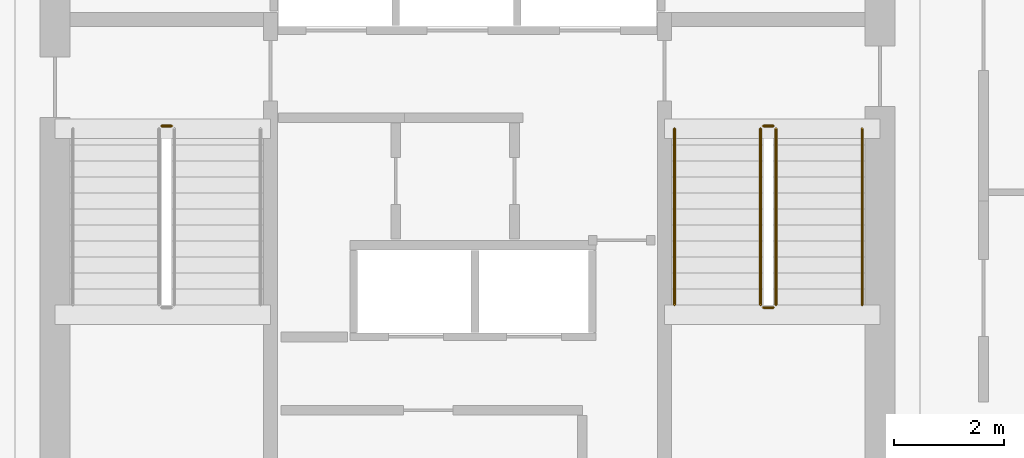
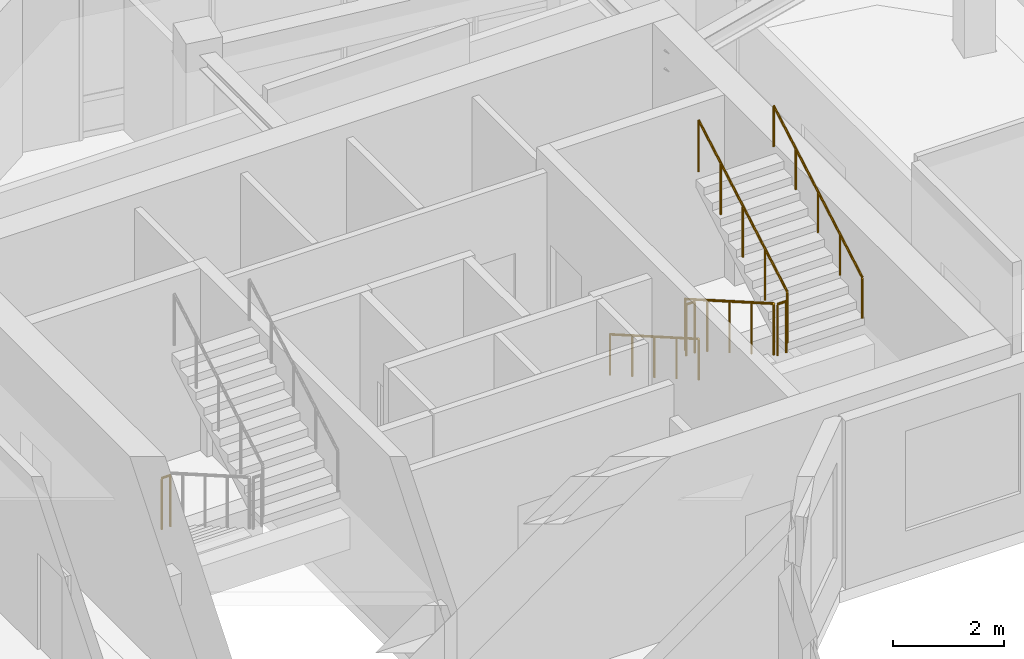
# One storey, part 8 of 8: 7 railings.
"""IFC4 building model written with IfcOpenShell, lengths in metres."""

import ifcopenshell
import ifcopenshell.guid

model = None  # the IFC model being written
_history = None  # IfcOwnerHistory: only IFC2X3 demands one
_inside = {}  # id of a spatial element -> (the spatial element, [elements in it])
_under = {}  # id of a project, library or spatial element -> (it, [spatial elements below it])
_declared = {}  # id of a project -> (the project, [libraries it declares])
_typed = {}  # id of a type object -> (the type object, [elements of that type])
_made_of = {}  # id of a material, layer set ... -> (it, [elements and type objects made of it])


def new_model(schema):
    """Start an empty IFC model of exactly this schema.

    Asked for "IFC4X3", IfcOpenShell would pick the latest addendum, in which some entities
    have other attributes; the version numbers below select the first issue.
    IFC2X3 requires an IfcOwnerHistory on every rooted entity: one is made here for all.
    """
    global model, _history
    if schema == "IFC4X3":
        model = ifcopenshell.file(schema_version=(4, 3, 0, 0))
    else:
        model = ifcopenshell.file(schema=schema)
    _inside.clear()
    _under.clear()
    _declared.clear()
    _typed.clear()
    _made_of.clear()
    _history = None
    if model.schema == "IFC2X3":
        org = make("IfcOrganization", Name="unknown")
        user = make(
            "IfcPersonAndOrganization",
            ThePerson=make("IfcPerson", FamilyName="unknown"),
            TheOrganization=org,
        )
        app = make(
            "IfcApplication",
            ApplicationDeveloper=org,
            Version="unknown",
            ApplicationFullName="unknown",
            ApplicationIdentifier="unknown",
        )
        _history = make(
            "IfcOwnerHistory",
            OwningUser=user,
            OwningApplication=app,
            ChangeAction="ADDED",
            CreationDate=0,
        )
    return model


def make(cls, **values):
    """One entity of the class cls with the attributes given. An attribute that is None is left unset."""
    return model.create_entity(
        cls, **{name: value for name, value in values.items() if value is not None}
    )


def rooted(cls, **values):
    """An entity with a GlobalId (a new one), such as an element, a storey or a relation."""
    return make(cls, GlobalId=ifcopenshell.guid.new(), OwnerHistory=_history, **values)


def si_unit(unit_type, name, prefix=None):
    """IfcSIUnit, for example si_unit("LENGTHUNIT", "METRE", prefix="MILLI")."""
    return make("IfcSIUnit", UnitType=unit_type, Prefix=prefix, Name=name)


def assignment(units):
    """IfcUnitAssignment: the units of a project."""
    return None if units is None else make("IfcUnitAssignment", Units=units)


def point(xyz):
    """IfcCartesianPoint."""
    return None if xyz is None else make("IfcCartesianPoint", Coordinates=xyz)


def direction(xyz):
    """IfcDirection."""
    return None if xyz is None else make("IfcDirection", DirectionRatios=xyz)


def frame(location, z_axis=None, x_axis=None):
    """IfcAxis2Placement3D, a coordinate frame: its origin and axes. An axis left out is left unset."""
    return make(
        "IfcAxis2Placement3D",
        Location=point(location),
        Axis=direction(z_axis),
        RefDirection=direction(x_axis),
    )


def frame_2d(location, x_axis=None):
    """IfcAxis2Placement2D, a coordinate frame in the plane: its origin and x axis."""
    return make(
        "IfcAxis2Placement2D", Location=point(location), RefDirection=direction(x_axis)
    )


def origin():
    """The frame at (0, 0, 0) with its axes left unset."""
    return frame((0.0, 0.0, 0.0))


def origin_2d():
    """The frame at (0, 0) in the plane with its x axis left unset."""
    return frame_2d((0.0, 0.0))


def place(relative_to, where):
    """IfcLocalPlacement: puts the frame where relative to a parent placement (None: the world)."""
    return make(
        "IfcLocalPlacement", PlacementRelTo=relative_to, RelativePlacement=where
    )


def context(
    kind, dimensions, precision=None, world=None, true_north=None, identifier=None
):
    """IfcGeometricRepresentationContext, for example the 3D "Model" context."""
    return make(
        "IfcGeometricRepresentationContext",
        ContextIdentifier=identifier,
        ContextType=kind,
        CoordinateSpaceDimension=dimensions,
        Precision=precision,
        WorldCoordinateSystem=world,
        TrueNorth=true_north,
    )


def subcontext(parent, identifier, kind, view, scale=None):
    """IfcGeometricRepresentationSubContext, for example "Body" below "Model"."""
    return make(
        "IfcGeometricRepresentationSubContext",
        ContextIdentifier=identifier,
        ContextType=kind,
        ParentContext=parent,
        TargetScale=scale,
        TargetView=view,
    )


def project(units=None, contexts=None):
    """IfcProject with its units and contexts."""
    return rooted(
        "IfcProject",
        Name="project",
        RepresentationContexts=contexts,
        UnitsInContext=assignment(units),
    )


def spatial(cls, under=None, at=None, **own):
    """A site, building, storey or space (cls), placed at a placement, below another one or the project."""
    s = rooted(cls, ObjectPlacement=at, **own)
    if under is not None:
        _under.setdefault(under.id(), (under, []))[1].append(s)
    return s


def profile(cls, at=None, kind="AREA", **sizes):
    """A parametric profile (cls). Its sizes go by their IFC names, for example OverallWidth=200.0."""
    return make(cls, ProfileType=kind, Position=at, **sizes)


def circle(**sizes):
    """IfcCircleProfileDef."""
    return profile("IfcCircleProfileDef", **sizes)


def extrude(swept, where, along, depth):
    """IfcExtrudedAreaSolid: the profile swept, set in the frame where, extruded along a direction by depth."""
    return make(
        "IfcExtrudedAreaSolid",
        SweptArea=swept,
        Position=where,
        ExtrudedDirection=direction(along),
        Depth=depth,
    )


def shape(context_of_items, identifier, shape_type, items):
    """IfcShapeRepresentation: the items that make up one representation, for example the "Body"."""
    return make(
        "IfcShapeRepresentation",
        ContextOfItems=context_of_items,
        RepresentationIdentifier=identifier,
        RepresentationType=shape_type,
        Items=items,
    )


def material(Name=None, Category=None):
    """IfcMaterial."""
    return make("IfcMaterial", Name=Name, Category=Category)


def made_of(thing, what):
    """Note that an element or type object is made of a material, layer set ...; save() writes the relation."""
    if what is not None:
        _made_of.setdefault(what.id(), (what, []))[1].append(thing)
    return thing


def type_object(cls, material=None, **own):
    """A type object (cls), such as IfcWallType, which elements share."""
    return made_of(rooted(cls, **own), material)


def element(
    cls,
    number,
    at=None,
    inside=None,
    cuts=None,
    type_object=None,
    material=None,
    context=None,
    identifier="Body",
    shape_type=None,
    held_by="IfcProductDefinitionShape",
    body=None,
    shapes=None,
    **own,
):
    """One element of the class cls, such as IfcWall. Its Tag is "e" and its number.

    at: its placement. inside: the storey or other place that contains it. cuts: it is an
    opening in that element (IfcRelVoidsElement). A single representation is given by context,
    identifier, shape_type and body (its items); several are given by shapes. held_by: the class
    of the entity that holds the representations. save() writes the other relations.
    """
    e = rooted(cls, Tag="e%d" % number, ObjectPlacement=at, **own)
    if body is not None:
        shapes = [shape(context, identifier, shape_type, body)]
    if shapes is not None:
        e.Representation = make(held_by, Representations=shapes)
    if inside is not None:
        _inside.setdefault(inside.id(), (inside, []))[1].append(e)
    if cuts is not None:
        rooted(
            "IfcRelVoidsElement", RelatingBuildingElement=cuts, RelatedOpeningElement=e
        )
    if type_object is not None:
        _typed.setdefault(type_object.id(), (type_object, []))[1].append(e)
    return made_of(e, material)


def aggregate(whole, parts):
    """IfcRelAggregates: a whole, such as a stair, and the parts it consists of."""
    return rooted("IfcRelAggregates", RelatingObject=whole, RelatedObjects=parts)


def save(model, path):
    """Write the relations noted so far, then the file.

    IfcRelAggregates (storeys below a building ...), IfcRelContainedInSpatialStructure (elements
    in a storey), IfcRelDefinesByType, IfcRelAssociatesMaterial and IfcRelDeclares: one each for
    every whole, place, type object, material and project.
    """
    for whole, parts in _under.values():
        aggregate(whole, parts)
    for where, things in _inside.values():
        rooted(
            "IfcRelContainedInSpatialStructure",
            RelatedElements=things,
            RelatingStructure=where,
        )
    for kind, things in _typed.values():
        rooted("IfcRelDefinesByType", RelatedObjects=things, RelatingType=kind)
    for what, things in _made_of.values():
        rooted("IfcRelAssociatesMaterial", RelatedObjects=things, RelatingMaterial=what)
    for by, libraries in _declared.values():
        rooted("IfcRelDeclares", RelatingContext=by, RelatedDefinitions=libraries)
    model.write(path)


model = new_model("IFC4")

# Units and contexts
model_context = context("Model", 3, precision=1e-05, world=origin(), true_north=direction((0.0, 1.0)))
body_context = subcontext(model_context, "Body", "Model", "MODEL_VIEW")
ifc_project = project(units=[si_unit("LENGTHUNIT", "METRE"), si_unit("AREAUNIT", "SQUARE_METRE"), si_unit("VOLUMEUNIT", "CUBIC_METRE"), si_unit("PLANEANGLEUNIT", "RADIAN"), si_unit("MASSUNIT", "GRAM", prefix="KILO")], contexts=[model_context])

# Site, building, storey
site_placement = place(None, origin())
site = spatial("IfcSite", under=ifc_project, at=site_placement, CompositionType="ELEMENT")
building_placement = place(site_placement, origin())
building = spatial("IfcBuilding", under=site, at=building_placement, Name="Calvemar Wedge Station Tower", CompositionType="ELEMENT")
storey_placement = place(building_placement, frame((0.0, 0.0, 300.5)))
storey = spatial("IfcBuildingStorey", under=building, at=storey_placement, Name="L77", CompositionType="ELEMENT", Elevation=300.5)

# Railings
ifc_material_1 = material(Name="Stainless steel AISI 316L", Category="steel")
railing_type_1 = type_object("IfcRailingType", Name="RL-HANDRAIL-920", PredefinedType="HANDRAIL", material=ifc_material_1)
railing_1_placement = place(storey_placement, frame((27.550048828125, 41.14990234375, 0.166748046875)))
element("IfcRailing", 1, at=railing_1_placement, inside=storey, type_object=railing_type_1, Name="L77 ST-C2 stair handrail 1", PredefinedType="HANDRAIL", context=body_context, shape_type="SweptSolid", body=[
    extrude(circle(Radius=0.02392578125, at=origin_2d()), frame((0.0, 0.0, 0.89599609375), z_axis=(0.0, -0.867019545617, 0.498274128887), x_axis=(1.0, 0.0, 0.0)), (0.0, 0.0, 1.0), 3.67919921875),
    extrude(circle(Radius=0.02099609375, at=origin_2d()), origin(), (0.0, 0.0, 1.0), 0.871826171875),
    extrude(circle(Radius=0.02099609375, at=origin_2d()), frame((0.0, -0.79736328125, 0.458251953125)), (0.0, 0.0, 1.0), 0.871826171875),
    extrude(circle(Radius=0.02099609375, at=origin_2d()), frame((0.0, -1.594970703125, 0.91650390625)), (0.0, 0.0, 1.0), 0.871826171875),
    extrude(circle(Radius=0.02099609375, at=origin_2d()), frame((0.0, -2.392578125, 1.375)), (0.0, 0.0, 1.0), 0.871826171875),
    extrude(circle(Radius=0.02099609375, at=origin_2d()), frame((0.0, -3.18994140625, 1.833251953125)), (0.0, 0.0, 1.0), 0.871826171875),
])
railing_2_placement = place(storey_placement, frame((30.949951171875, 37.9599609375, 2.166748046875)))
element("IfcRailing", 2, at=railing_2_placement, inside=storey, type_object=railing_type_1, Name="L77 ST-C2 stair handrail 2", PredefinedType="HANDRAIL", context=body_context, shape_type="SweptSolid", body=[
    extrude(circle(Radius=0.02392578125, at=origin_2d()), frame((0.0, 0.0, 0.89599609375), z_axis=(0.0, 0.867019545617, 0.498274128887), x_axis=(-1.0, 0.0, 0.0)), (0.0, 0.0, 1.0), 3.67919921875),
    extrude(circle(Radius=0.02099609375, at=origin_2d()), origin(), (0.0, 0.0, 1.0), 0.871826171875),
    extrude(circle(Radius=0.02099609375, at=origin_2d()), frame((0.0, 0.79736328125, 0.458251953125)), (0.0, 0.0, 1.0), 0.871826171875),
    extrude(circle(Radius=0.02099609375, at=origin_2d()), frame((0.0, 1.594970703125, 0.91650390625)), (0.0, 0.0, 1.0), 0.871826171875),
    extrude(circle(Radius=0.02099609375, at=origin_2d()), frame((0.0, 2.392578125, 1.375)), (0.0, 0.0, 1.0), 0.871826171875),
    extrude(circle(Radius=0.02099609375, at=origin_2d()), frame((0.0, 3.18994140625, 1.833251953125)), (0.0, 0.0, 1.0), 0.871826171875),
])
ifc_material_2 = material(Name="Painted steel guardrail ASTM A500 Grade C", Category="steel")
railing_type_2 = type_object("IfcRailingType", Name="RL-STAIR-GUARD-1150", PredefinedType="GUARDRAIL", material=ifc_material_2)
railing_3_placement = place(storey_placement, frame((18.260009765625, 41.199951171875, 0.0)))
element("IfcRailing", 3, at=railing_3_placement, inside=storey, type_object=railing_type_2, Name="L77 ST-C1 stair guard 4", PredefinedType="GUARDRAIL", context=body_context, shape_type="SweptSolid", body=[
    extrude(circle(Radius=0.02392578125, at=origin_2d()), frame((0.0, 0.0, 1.1259765625), z_axis=(1.0, 0.0, 0.0), x_axis=(0.0, 1.0, 0.0)), (0.0, 0.0, 1.0), 0.179931640625),
    extrude(circle(Radius=0.02099609375, at=origin_2d()), origin(), (0.0, 0.0, 1.0), 1.101806640625),
    extrude(circle(Radius=0.02099609375, at=origin_2d()), frame((0.179931640625, 0.0, 0.0)), (0.0, 0.0, 1.0), 1.101806640625),
])
railing_4_placement = place(storey_placement, frame((29.110107421875, 41.14990234375, 0.166748046875)))
element("IfcRailing", 4, at=railing_4_placement, inside=storey, type_object=railing_type_2, Name="L77 ST-C2 stair guard 1", PredefinedType="GUARDRAIL", context=body_context, shape_type="SweptSolid", body=[
    extrude(circle(Radius=0.02392578125, at=origin_2d()), frame((0.0, 0.0, 1.1259765625), z_axis=(0.0, -0.867019545617, 0.498274128887), x_axis=(1.0, 0.0, 0.0)), (0.0, 0.0, 1.0), 3.67919921875),
    extrude(circle(Radius=0.02099609375, at=origin_2d()), origin(), (0.0, 0.0, 1.0), 1.101806640625),
    extrude(circle(Radius=0.02099609375, at=origin_2d()), frame((0.0, -0.79736328125, 0.458251953125)), (0.0, 0.0, 1.0), 1.101806640625),
    extrude(circle(Radius=0.02099609375, at=origin_2d()), frame((0.0, -1.594970703125, 0.91650390625)), (0.0, 0.0, 1.0), 1.101806640625),
    extrude(circle(Radius=0.02099609375, at=origin_2d()), frame((0.0, -2.392578125, 1.375)), (0.0, 0.0, 1.0), 1.101806640625),
    extrude(circle(Radius=0.02099609375, at=origin_2d()), frame((0.0, -3.18994140625, 1.833251953125)), (0.0, 0.0, 1.0), 1.101806640625),
])
railing_5_placement = place(storey_placement, frame((29.159912109375, 37.909912109375, 2.0)))
element("IfcRailing", 5, at=railing_5_placement, inside=storey, type_object=railing_type_2, Name="L77 ST-C2 stair guard 2", PredefinedType="GUARDRAIL", context=body_context, shape_type="SweptSolid", body=[
    extrude(circle(Radius=0.02392578125, at=origin_2d()), frame((0.0, 0.0, 1.1259765625), z_axis=(1.0, 0.0, 0.0), x_axis=(0.0, 1.0, 0.0)), (0.0, 0.0, 1.0), 0.18017578125),
    extrude(circle(Radius=0.02099609375, at=origin_2d()), origin(), (0.0, 0.0, 1.0), 1.101806640625),
    extrude(circle(Radius=0.02099609375, at=origin_2d()), frame((0.18017578125, 0.0, 0.0)), (0.0, 0.0, 1.0), 1.101806640625),
])
railing_6_placement = place(storey_placement, frame((29.389892578125, 37.9599609375, 2.166748046875)))
element("IfcRailing", 6, at=railing_6_placement, inside=storey, type_object=railing_type_2, Name="L77 ST-C2 stair guard 3", PredefinedType="GUARDRAIL", context=body_context, shape_type="SweptSolid", body=[
    extrude(circle(Radius=0.02392578125, at=origin_2d()), frame((0.0, 0.0, 1.1259765625), z_axis=(0.0, 0.867019545617, 0.498274128887), x_axis=(-1.0, 0.0, 0.0)), (0.0, 0.0, 1.0), 3.67919921875),
    extrude(circle(Radius=0.02099609375, at=origin_2d()), origin(), (0.0, 0.0, 1.0), 1.101806640625),
    extrude(circle(Radius=0.02099609375, at=origin_2d()), frame((0.0, 0.79736328125, 0.458251953125)), (0.0, 0.0, 1.0), 1.101806640625),
    extrude(circle(Radius=0.02099609375, at=origin_2d()), frame((0.0, 1.594970703125, 0.91650390625)), (0.0, 0.0, 1.0), 1.101806640625),
    extrude(circle(Radius=0.02099609375, at=origin_2d()), frame((0.0, 2.392578125, 1.375)), (0.0, 0.0, 1.0), 1.101806640625),
    extrude(circle(Radius=0.02099609375, at=origin_2d()), frame((0.0, 3.18994140625, 1.833251953125)), (0.0, 0.0, 1.0), 1.101806640625),
])
railing_7_placement = place(storey_placement, frame((29.159912109375, 41.199951171875, 0.0)))
element("IfcRailing", 7, at=railing_7_placement, inside=storey, type_object=railing_type_2, Name="L77 ST-C2 stair guard 4", PredefinedType="GUARDRAIL", context=body_context, shape_type="SweptSolid", body=[
    extrude(circle(Radius=0.02392578125, at=origin_2d()), frame((0.0, 0.0, 1.1259765625), z_axis=(1.0, 0.0, 0.0), x_axis=(0.0, 1.0, 0.0)), (0.0, 0.0, 1.0), 0.18017578125),
    extrude(circle(Radius=0.02099609375, at=origin_2d()), origin(), (0.0, 0.0, 1.0), 1.101806640625),
    extrude(circle(Radius=0.02099609375, at=origin_2d()), frame((0.18017578125, 0.0, 0.0)), (0.0, 0.0, 1.0), 1.101806640625),
])

save(model, "model.ifc")
